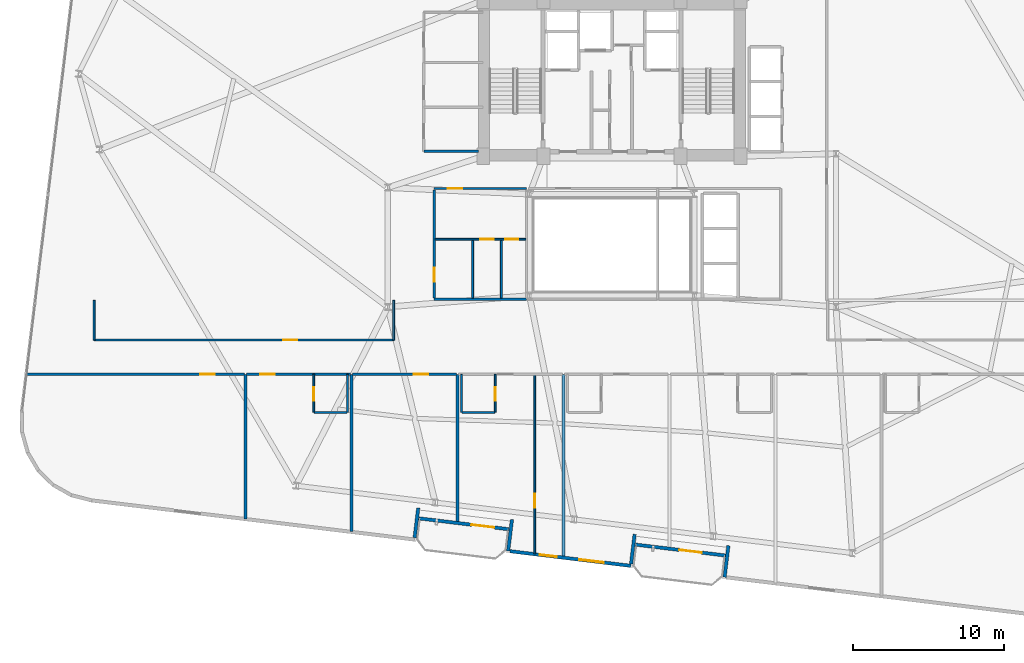
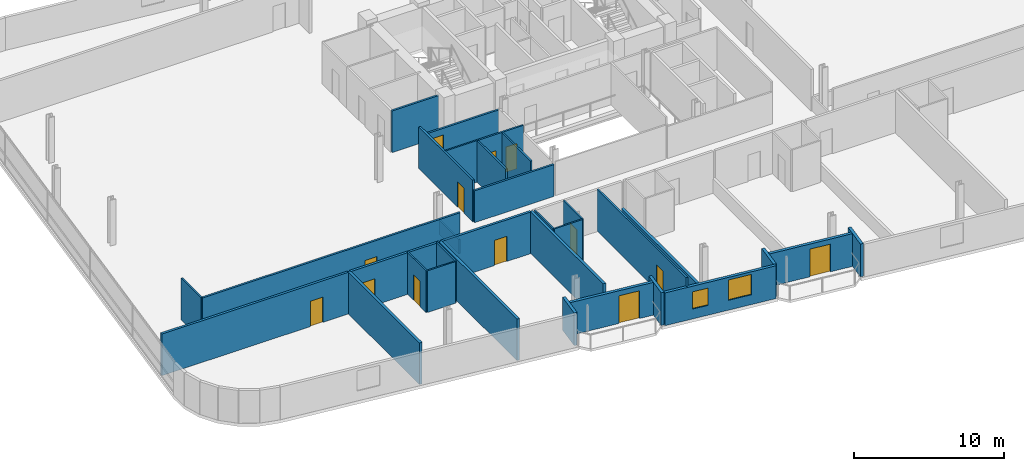
# One storey, part 20 of 26: 31 walls, 13 doors, 2 windows, 15 openings.
"""IFC4 building model written with IfcOpenShell, lengths in metres."""

from ifc_helpers import new_model, si_unit, direction, frame, frame_2d, origin, place, context, subcontext, project, spatial, rectangle, extrude, material, layer, layer_set, type_object, element, fill, save


model = new_model("IFC4")

# Units and contexts
model_context = context("Model", 3, precision=1e-05, world=origin(), true_north=direction((0.0, 1.0)))
body_context = subcontext(model_context, "Body", "Model", "MODEL_VIEW")
ifc_project = project(units=[si_unit("LENGTHUNIT", "METRE"), si_unit("AREAUNIT", "SQUARE_METRE"), si_unit("VOLUMEUNIT", "CUBIC_METRE"), si_unit("PLANEANGLEUNIT", "RADIAN"), si_unit("MASSUNIT", "GRAM", prefix="KILO")], contexts=[model_context])

# Site, building, storey
site_placement = place(None, origin())
site = spatial("IfcSite", under=ifc_project, at=site_placement, CompositionType="ELEMENT")
building_placement = place(site_placement, origin())
building = spatial("IfcBuilding", under=site, at=building_placement, Name="Varnelok Gate Tower", CompositionType="ELEMENT")
storey_placement = place(building_placement, frame((0.0, 0.0, 158.699951171875)))
storey = spatial("IfcBuildingStorey", under=building, at=storey_placement, Name="L40", CompositionType="ELEMENT", Elevation=158.699951171875)

# Wall, opening, door
ifc_material_1 = material(Name="Concrete C45/55", Category="concrete")
ifc_layer_1 = layer(ifc_material_1, 0.219970703125)
ifc_layer_set_1 = layer_set([ifc_layer_1], Name="Concrete C45/55")
wall_type_1 = type_object("IfcWallType", Name="EW-BALC-220", PredefinedType="SOLIDWALL", material=ifc_layer_set_1)
wall_1_placement = place(storey_placement, frame((32.40087890625, 4.1142578125, 0.0), z_axis=(0.0, 0.0, 1.0), x_axis=(-0.992734813078, 0.120322861101, 0.0)))
wall_1 = element("IfcWall", 1, at=wall_1_placement, inside=storey, type_object=wall_type_1, Name="L40 South Terrace Envelope Wall 1", PredefinedType="SOLIDWALL", context=body_context, shape_type="SweptSolid", body=[
    extrude(rectangle(XDim=6.0, YDim=0.219970703125, at=frame_2d((3.0, 0.0))), origin(), (0.0, 0.0, 1.0), 2.66015625),
])
opening_1_placement = place(wall_1_placement, frame((0.991943359375, 0.0, 0.0)))
opening_1 = element("IfcOpeningElement", 2, at=opening_1_placement, cuts=wall_1, Name="Opening BD-1", PredefinedType="OPENING", context=body_context, shape_type="SweptSolid", body=[
    extrude(rectangle(XDim=1.5, YDim=2.25, at=frame_2d((0.75, 1.125))), frame((0.0, 0.119873046875, 0.0), z_axis=(0.0, -1.0, 0.0), x_axis=(1.0, 0.0, 0.0)), (0.0, 0.0, 1.0), 0.239990234375),
])
ifc_material_2 = material(Name="Anodized Aluminum Alloy 6063-T6", Category="aluminium")
door_type_1 = type_object("IfcDoorType", Name="DR-EXT-BALC1500", OperationType="NOTDEFINED", PredefinedType="DOOR", material=ifc_material_2)
door_1_placement = place(opening_1_placement, origin())
door_1 = element("IfcDoor", 3, at=door_1_placement, inside=storey, type_object=door_type_1, Name="L40 South Balcony Glazed Door 1", OperationType="SINGLE_SWING_RIGHT", OverallHeight=2.25, OverallWidth=1.5, PredefinedType="DOOR", context=body_context, shape_type="SweptSolid", body=[
    extrude(rectangle(XDim=1.5, YDim=2.25, at=frame_2d((0.75, 1.125))), frame((0.0, 0.02490234375, 0.0), z_axis=(0.0, -1.0, 0.0), x_axis=(1.0, 0.0, 0.0)), (0.0, 0.0, 1.0), 0.050048828125),
])
fill(opening_1, door_1)

wall_2_placement = place(storey_placement, frame((46.6962890625, 2.38134765625, 0.0), z_axis=(0.0, 0.0, 1.0), x_axis=(-0.992729951822, 0.120362962556, 0.0)))
wall_2 = element("IfcWall", 4, at=wall_2_placement, inside=storey, type_object=wall_type_1, Name="L40 South Terrace Envelope Wall 2", PredefinedType="SOLIDWALL", context=body_context, shape_type="SweptSolid", body=[
    extrude(rectangle(XDim=6.0, YDim=0.219970703125, at=frame_2d((3.0, 0.0))), origin(), (0.0, 0.0, 1.0), 2.66015625),
])
opening_2_placement = place(wall_2_placement, frame((1.583984375, 0.0, 0.0)))
opening_2 = element("IfcOpeningElement", 5, at=opening_2_placement, cuts=wall_2, Name="Opening BD-1", PredefinedType="OPENING", context=body_context, shape_type="SweptSolid", body=[
    extrude(rectangle(XDim=1.5, YDim=2.25, at=frame_2d((0.75, 1.125))), frame((0.0, 0.119873046875, 0.0), z_axis=(0.0, -1.0, 0.0), x_axis=(1.0, 0.0, 0.0)), (0.0, 0.0, 1.0), 0.239990234375),
])
door_2_placement = place(opening_2_placement, origin())
door_2 = element("IfcDoor", 6, at=door_2_placement, inside=storey, type_object=door_type_1, Name="L40 South Balcony Glazed Door 2", OperationType="SINGLE_SWING_LEFT", OverallHeight=2.25, OverallWidth=1.5, PredefinedType="DOOR", context=body_context, shape_type="SweptSolid", body=[
    extrude(rectangle(XDim=1.5, YDim=2.25, at=frame_2d((0.75, 1.125))), frame((0.0, 0.02490234375, 0.0), z_axis=(0.0, -1.0, 0.0), x_axis=(1.0, 0.0, 0.0)), (0.0, 0.0, 1.0), 0.050048828125),
])
fill(opening_2, door_2)

# Walls
wall_3_placement = place(storey_placement, frame((26.16845703125, 3.555419921875, 0.0), z_axis=(0.0, 0.0, 1.0), x_axis=(0.120290754542, 0.992738703976, 0.0)))
element("IfcWall", 7, at=wall_3_placement, inside=storey, type_object=wall_type_1, Name="L40 Perimeter Facade Closure Wall 8", PredefinedType="SOLIDWALL", context=body_context, shape_type="SweptSolid", body=[
    extrude(rectangle(XDim=1.974853515625, YDim=0.219970703125, at=frame_2d((0.9873046875, 0.0))), origin(), (0.0, 0.0, 1.0), 2.66015625),
])
wall_4_placement = place(storey_placement, frame((32.600830078125, 4.764892578125, 0.0), z_axis=(0.0, 0.0, 1.0), x_axis=(-0.120327895535, -0.992734202874, 0.0)))
element("IfcWall", 8, at=wall_4_placement, inside=storey, type_object=wall_type_1, Name="L40 Perimeter Facade Closure Wall 9", PredefinedType="SOLIDWALL", context=body_context, shape_type="SweptSolid", body=[
    extrude(rectangle(XDim=2.099853515625, YDim=0.219970703125, at=frame_2d((1.0498046875, 0.0))), origin(), (0.0, 0.0, 1.0), 2.66015625),
])

# Wall, openings, windows
wall_5_placement = place(storey_placement, frame((32.47216796875, 2.6650390625, 0.0), z_axis=(0.0, 0.0, 1.0), x_axis=(0.992734661931, -0.120324108143, 0.0)))
wall_5 = element("IfcWall", 9, at=wall_5_placement, inside=storey, type_object=wall_type_1, Name="L40 Perimeter Facade Closure Wall 10", PredefinedType="SOLIDWALL", context=body_context, shape_type="SweptSolid", body=[
    extrude(rectangle(XDim=8.034912109375, YDim=0.219970703125, at=frame_2d((4.017578125, 0.0))), origin(), (0.0, 0.0, 1.0), 2.66015625),
])
opening_3_placement = place(wall_5_placement, frame((4.59716796875, 0.0, 0.800048828125)))
opening_3 = element("IfcOpeningElement", 10, at=opening_3_placement, cuts=wall_5, Name="Opening WN3", PredefinedType="OPENING", context=body_context, shape_type="SweptSolid", body=[
    extrude(rectangle(XDim=1.64990234375, YDim=1.64990234375, at=frame_2d((0.824951171875, 0.824951171875))), frame((0.0, 0.119873046875, 0.0), z_axis=(0.0, -1.0, 0.0), x_axis=(1.0, 0.0, 0.0)), (0.0, 0.0, 1.0), 0.239990234375),
])
opening_4_placement = place(wall_5_placement, frame((1.968505859375, 0.0, 0.800048828125)))
opening_4 = element("IfcOpeningElement", 11, at=opening_4_placement, cuts=wall_5, Name="Opening WN8", PredefinedType="OPENING", context=body_context, shape_type="SweptSolid", body=[
    extrude(rectangle(XDim=1.14990234375, YDim=1.39990234375, at=frame_2d((0.574951171875, 0.699951171875))), frame((0.0, 0.119873046875, 0.0), z_axis=(0.0, -1.0, 0.0), x_axis=(1.0, 0.0, 0.0)), (0.0, 0.0, 1.0), 0.239990234375),
])
ifc_material_3 = material(Name="Low-E Laminated Double Glazing IGU", Category="glass")
window_type_1 = type_object("IfcWindowType", Name="WN-BED-1150", PartitioningType="SINGLE_PANEL", PredefinedType="WINDOW", material=ifc_material_3)
window_1_placement = place(opening_4_placement, origin())
window_1 = element("IfcWindow", 12, at=window_1_placement, inside=storey, type_object=window_type_1, Name="L40 Bedroom Vision Window 18", OverallHeight=1.39990234375, OverallWidth=1.14990234375, PartitioningType="SINGLE_PANEL", PredefinedType="WINDOW", context=body_context, shape_type="SweptSolid", body=[
    extrude(rectangle(XDim=1.14990234375, YDim=1.39990234375, at=frame_2d((0.574951171875, 0.699951171875))), frame((0.0, 0.030029296875, 0.0), z_axis=(0.0, -1.0, 0.0), x_axis=(1.0, 0.0, 0.0)), (0.0, 0.0, 1.0), 0.06005859375),
])
fill(opening_4, window_1)
window_type_2 = type_object("IfcWindowType", Name="WN-HTL-1650", PartitioningType="SINGLE_PANEL", PredefinedType="WINDOW", material=ifc_material_3)
window_2_placement = place(opening_3_placement, origin())
window_2 = element("IfcWindow", 13, at=window_2_placement, inside=storey, type_object=window_type_2, Name="L40 Perimeter Vision Window 10", OverallHeight=1.64990234375, OverallWidth=1.64990234375, PartitioningType="SINGLE_PANEL", PredefinedType="WINDOW", context=body_context, shape_type="SweptSolid", body=[
    extrude(rectangle(XDim=1.64990234375, YDim=1.64990234375, at=frame_2d((0.824951171875, 0.824951171875))), frame((0.0, 0.030029296875, 0.0), z_axis=(0.0, -1.0, 0.0), x_axis=(1.0, 0.0, 0.0)), (0.0, 0.0, 1.0), 0.06005859375),
])
fill(opening_3, window_2)

# Walls
wall_6_placement = place(storey_placement, frame((40.4638671875, 1.822265625, 0.0), z_axis=(0.0, 0.0, 1.0), x_axis=(0.120275992932, 0.992740492538, 0.0)))
element("IfcWall", 14, at=wall_6_placement, inside=storey, type_object=wall_type_1, Name="L40 Perimeter Facade Closure Wall 11", PredefinedType="SOLIDWALL", context=body_context, shape_type="SweptSolid", body=[
    extrude(rectangle(XDim=1.97509765625, YDim=0.219970703125, at=frame_2d((0.987548828125, 0.0))), origin(), (0.0, 0.0, 1.0), 2.66015625),
])
wall_7_placement = place(storey_placement, frame((46.89599609375, 3.031982421875, 0.0), z_axis=(0.0, 0.0, 1.0), x_axis=(-0.120327895535, -0.992734202874, 0.0)))
element("IfcWall", 15, at=wall_7_placement, inside=storey, type_object=wall_type_1, Name="L40 Perimeter Facade Closure Wall 12", PredefinedType="SOLIDWALL", context=body_context, shape_type="SweptSolid", body=[
    extrude(rectangle(XDim=2.099853515625, YDim=0.219970703125, at=frame_2d((1.0498046875, 0.0))), origin(), (0.0, 0.0, 1.0), 2.66015625),
])

# Wall, opening, door
ifc_material_4 = material(Name="Gypsum Plasterboard Acoustic Partition", Category="gypsum")
ifc_layer_2 = layer(ifc_material_4, 0.179931640625)
ifc_layer_set_2 = layer_set([ifc_layer_2], Name="Gypsum Plasterboard Acoustic Partition")
wall_type_2 = type_object("IfcWallType", Name="PW-CORR-180", PredefinedType="PARTITIONING", material=ifc_layer_set_2)
wall_8_placement = place(storey_placement, frame((0.581298828125, 14.35009765625, 0.0), z_axis=(0.0, 0.0, 1.0), x_axis=(1.0, 0.0, 0.0)))
wall_8 = element("IfcWall", 16, at=wall_8_placement, inside=storey, type_object=wall_type_2, Name="Interior Partition", PredefinedType="PARTITIONING", context=body_context, shape_type="SweptSolid", body=[
    extrude(rectangle(XDim=14.338623046875, YDim=0.179931640625, at=frame_2d((7.16943359375, 0.0))), origin(), (0.0, 0.0, 1.0), 3.380126953125),
])
opening_5_placement = place(wall_8_placement, frame((11.42626953125, 0.0, 0.0)))
opening_5 = element("IfcOpeningElement", 17, at=opening_5_placement, cuts=wall_8, Name="Opening D-I2", PredefinedType="OPENING", context=body_context, shape_type="SweptSolid", body=[
    extrude(rectangle(XDim=0.949951171875, YDim=2.050048828125, at=frame_2d((0.47509765625, 1.02490234375))), frame((0.0, 0.099853515625, 0.0), z_axis=(0.0, -1.0, 0.0), x_axis=(1.0, 0.0, 0.0)), (0.0, 0.0, 1.0), 0.199951171875),
])
ifc_material_5 = material(Name="Engineered Hardwood Timber", Category="wood")
door_type_2 = type_object("IfcDoorType", Name="DR-INT-950", OperationType="NOTDEFINED", PredefinedType="DOOR", material=ifc_material_5)
door_3_placement = place(opening_5_placement, origin())
door_3 = element("IfcDoor", 18, at=door_3_placement, inside=storey, type_object=door_type_2, Name="L40 Wellness Spa Lounge Door", OperationType="SINGLE_SWING_LEFT", OverallHeight=2.050048828125, OverallWidth=0.949951171875, PredefinedType="DOOR", context=body_context, shape_type="SweptSolid", body=[
    extrude(rectangle(XDim=0.949951171875, YDim=2.050048828125, at=frame_2d((0.47509765625, 1.02490234375))), frame((0.0, 0.02490234375, 0.0), z_axis=(0.0, -1.0, 0.0), x_axis=(1.0, 0.0, 0.0)), (0.0, 0.0, 1.0), 0.050048828125),
])
fill(opening_5, door_3)

wall_9_placement = place(storey_placement, frame((15.080078125, 14.35009765625, 0.0), z_axis=(0.0, 0.0, 1.0), x_axis=(1.0, 0.0, 0.0)))
wall_9 = element("IfcWall", 19, at=wall_9_placement, inside=storey, type_object=wall_type_2, Name="Interior Partition", PredefinedType="PARTITIONING", context=body_context, shape_type="SweptSolid", body=[
    extrude(rectangle(XDim=6.83984375, YDim=0.179931640625, at=frame_2d((3.419921875, 0.0))), origin(), (0.0, 0.0, 1.0), 3.380126953125),
])
opening_6_placement = place(wall_9_placement, frame((0.89990234375, 0.0, 0.0)))
opening_6 = element("IfcOpeningElement", 20, at=opening_6_placement, cuts=wall_9, Name="Opening D-HT", PredefinedType="OPENING", context=body_context, shape_type="SweptSolid", body=[
    extrude(rectangle(XDim=0.949951171875, YDim=2.14990234375, at=frame_2d((0.47509765625, 1.074951171875))), frame((0.0, 0.099853515625, 0.0), z_axis=(0.0, -1.0, 0.0), x_axis=(1.0, 0.0, 0.0)), (0.0, 0.0, 1.0), 0.199951171875),
])
door_type_3 = type_object("IfcDoorType", Name="DR-HTL-950", OperationType="NOTDEFINED", PredefinedType="DOOR", material=ifc_material_5)
door_4_placement = place(opening_6_placement, origin())
door_4 = element("IfcDoor", 21, at=door_4_placement, inside=storey, type_object=door_type_3, Name="L40 Guest Room 02 Entrance Door", OperationType="SINGLE_SWING_LEFT", OverallHeight=2.14990234375, OverallWidth=0.949951171875, PredefinedType="DOOR", context=body_context, shape_type="SweptSolid", body=[
    extrude(rectangle(XDim=0.949951171875, YDim=2.14990234375, at=frame_2d((0.47509765625, 1.074951171875))), frame((0.0, 0.02490234375, 0.0), z_axis=(0.0, -1.0, 0.0), x_axis=(1.0, 0.0, 0.0)), (0.0, 0.0, 1.0), 0.050048828125),
])
fill(opening_6, door_4)

wall_10_placement = place(storey_placement, frame((22.080078125, 14.35009765625, 0.0), z_axis=(0.0, 0.0, 1.0), x_axis=(1.0, 0.0, 0.0)))
wall_10 = element("IfcWall", 22, at=wall_10_placement, inside=storey, type_object=wall_type_2, Name="Interior Partition", PredefinedType="PARTITIONING", context=body_context, shape_type="SweptSolid", body=[
    extrude(rectangle(XDim=6.83984375, YDim=0.179931640625, at=frame_2d((3.419921875, 0.0))), origin(), (0.0, 0.0, 1.0), 3.380126953125),
])
opening_7_placement = place(wall_10_placement, frame((4.034912109375, 0.0, 0.0)))
opening_7 = element("IfcOpeningElement", 23, at=opening_7_placement, cuts=wall_10, Name="Opening D-I2", PredefinedType="OPENING", context=body_context, shape_type="SweptSolid", body=[
    extrude(rectangle(XDim=0.949951171875, YDim=2.050048828125, at=frame_2d((0.47509765625, 1.02490234375))), frame((0.0, 0.099853515625, 0.0), z_axis=(0.0, -1.0, 0.0), x_axis=(1.0, 0.0, 0.0)), (0.0, 0.0, 1.0), 0.199951171875),
])
door_5_placement = place(opening_7_placement, origin())
door_5 = element("IfcDoor", 24, at=door_5_placement, inside=storey, type_object=door_type_2, Name="L40 Wellness Spa Lounge Door", OperationType="SINGLE_SWING_LEFT", OverallHeight=2.050048828125, OverallWidth=0.949951171875, PredefinedType="DOOR", context=body_context, shape_type="SweptSolid", body=[
    extrude(rectangle(XDim=0.949951171875, YDim=2.050048828125, at=frame_2d((0.47509765625, 1.02490234375))), frame((0.0, 0.02490234375, 0.0), z_axis=(0.0, -1.0, 0.0), x_axis=(1.0, 0.0, 0.0)), (0.0, 0.0, 1.0), 0.050048828125),
])
fill(opening_7, door_5)

# Wall
ifc_layer_3 = layer(ifc_material_4, 0.114990234375)
ifc_layer_set_3 = layer_set([ifc_layer_3], Name="Gypsum Plasterboard Acoustic Partition")
wall_type_3 = type_object("IfcWallType", Name="PW-ENS-125", PredefinedType="PARTITIONING", material=ifc_layer_set_3)
wall_11_placement = place(storey_placement, frame((19.550048828125, 11.830078125, 0.0), z_axis=(0.0, 0.0, 1.0), x_axis=(1.0, 0.0, 0.0)))
element("IfcWall", 25, at=wall_11_placement, inside=storey, type_object=wall_type_3, Name="Interior Partition", PredefinedType="PARTITIONING", context=body_context, shape_type="SweptSolid", body=[
    extrude(rectangle(XDim=2.14990234375, YDim=0.114990234375, at=frame_2d((1.074951171875, 0.0))), origin(), (0.0, 0.0, 1.0), 3.380126953125),
])

# Wall, opening, door
wall_12_placement = place(storey_placement, frame((19.510009765625, 11.830078125, 0.0), z_axis=(0.0, 0.0, 1.0), x_axis=(0.0, 1.0, 0.0)))
wall_12 = element("IfcWall", 26, at=wall_12_placement, inside=storey, type_object=wall_type_3, Name="Interior Partition", PredefinedType="PARTITIONING", context=body_context, shape_type="SweptSolid", body=[
    extrude(rectangle(XDim=2.52001953125, YDim=0.114990234375, at=frame_2d((1.260009765625, 0.0))), origin(), (0.0, 0.0, 1.0), 3.380126953125),
])
opening_8_placement = place(wall_12_placement, frame((0.760009765625, 0.0, 0.0)))
opening_8 = element("IfcOpeningElement", 27, at=opening_8_placement, cuts=wall_12, Name="Opening D-WC", PredefinedType="OPENING", context=body_context, shape_type="SweptSolid", body=[
    extrude(rectangle(XDim=0.89990234375, YDim=2.050048828125, at=frame_2d((0.449951171875, 1.02490234375))), frame((0.0, 0.0673828125, 0.0), z_axis=(0.0, -1.0, 0.0), x_axis=(1.0, 0.0, 0.0)), (0.0, 0.0, 1.0), 0.135009765625),
])
door_type_4 = type_object("IfcDoorType", Name="DR-BATH-900", OperationType="NOTDEFINED", PredefinedType="DOOR", material=ifc_material_5)
door_6_placement = place(opening_8_placement, origin())
door_6 = element("IfcDoor", 28, at=door_6_placement, inside=storey, type_object=door_type_4, Name="L40 Guest En-Suite 02 Door", OperationType="SINGLE_SWING_RIGHT", OverallHeight=2.050048828125, OverallWidth=0.89990234375, PredefinedType="DOOR", context=body_context, shape_type="SweptSolid", body=[
    extrude(rectangle(XDim=0.89990234375, YDim=2.050048828125, at=frame_2d((0.449951171875, 1.02490234375))), frame((0.0, 0.02490234375, 0.0), z_axis=(0.0, -1.0, 0.0), x_axis=(1.0, 0.0, 0.0)), (0.0, 0.0, 1.0), 0.050048828125),
])
fill(opening_8, door_6)

# Walls
wall_13_placement = place(storey_placement, frame((21.739990234375, 11.830078125, 0.0), z_axis=(0.0, 0.0, 1.0), x_axis=(0.0, 1.0, 0.0)))
element("IfcWall", 29, at=wall_13_placement, inside=storey, type_object=wall_type_3, Name="Interior Partition", PredefinedType="PARTITIONING", context=body_context, shape_type="SweptSolid", body=[
    extrude(rectangle(XDim=2.52001953125, YDim=0.114990234375, at=frame_2d((1.260009765625, 0.0))), origin(), (0.0, 0.0, 1.0), 3.380126953125),
])
wall_14_placement = place(storey_placement, frame((29.300048828125, 11.830078125, 0.0), z_axis=(0.0, 0.0, 1.0), x_axis=(1.0, 0.0, 0.0)))
element("IfcWall", 30, at=wall_14_placement, inside=storey, type_object=wall_type_3, Name="Interior Partition", PredefinedType="PARTITIONING", context=body_context, shape_type="SweptSolid", body=[
    extrude(rectangle(XDim=2.14990234375, YDim=0.114990234375, at=frame_2d((1.074951171875, 0.0))), origin(), (0.0, 0.0, 1.0), 3.380126953125),
])

# Wall, opening, door
wall_15_placement = place(storey_placement, frame((31.489990234375, 11.830078125, 0.0), z_axis=(0.0, 0.0, 1.0), x_axis=(0.0, 1.0, 0.0)))
wall_15 = element("IfcWall", 31, at=wall_15_placement, inside=storey, type_object=wall_type_3, Name="Interior Partition", PredefinedType="PARTITIONING", context=body_context, shape_type="SweptSolid", body=[
    extrude(rectangle(XDim=2.52001953125, YDim=0.114990234375, at=frame_2d((1.260009765625, 0.0))), origin(), (0.0, 0.0, 1.0), 3.380126953125),
])
opening_9_placement = place(wall_15_placement, frame((0.760009765625, 0.0, 0.0)))
opening_9 = element("IfcOpeningElement", 32, at=opening_9_placement, cuts=wall_15, Name="Opening D-WC", PredefinedType="OPENING", context=body_context, shape_type="SweptSolid", body=[
    extrude(rectangle(XDim=0.89990234375, YDim=2.050048828125, at=frame_2d((0.449951171875, 1.02490234375))), frame((0.0, 0.0673828125, 0.0), z_axis=(0.0, -1.0, 0.0), x_axis=(1.0, 0.0, 0.0)), (0.0, 0.0, 1.0), 0.135009765625),
])
door_7_placement = place(opening_9_placement, origin())
door_7 = element("IfcDoor", 33, at=door_7_placement, inside=storey, type_object=door_type_4, Name="L40 Guest En-Suite 04 Door", OperationType="SINGLE_SWING_LEFT", OverallHeight=2.050048828125, OverallWidth=0.89990234375, PredefinedType="DOOR", context=body_context, shape_type="SweptSolid", body=[
    extrude(rectangle(XDim=0.89990234375, YDim=2.050048828125, at=frame_2d((0.449951171875, 1.02490234375))), frame((0.0, 0.02490234375, 0.0), z_axis=(0.0, -1.0, 0.0), x_axis=(1.0, 0.0, 0.0)), (0.0, 0.0, 1.0), 0.050048828125),
])
fill(opening_9, door_7)

# Walls
wall_16_placement = place(storey_placement, frame((29.260009765625, 11.830078125, 0.0), z_axis=(0.0, 0.0, 1.0), x_axis=(0.0, 1.0, 0.0)))
element("IfcWall", 34, at=wall_16_placement, inside=storey, type_object=wall_type_3, Name="Interior Partition", PredefinedType="PARTITIONING", context=body_context, shape_type="SweptSolid", body=[
    extrude(rectangle(XDim=2.52001953125, YDim=0.114990234375, at=frame_2d((1.260009765625, 0.0))), origin(), (0.0, 0.0, 1.0), 3.380126953125),
])
ifc_layer_4 = layer(ifc_material_4, 0.125)
ifc_layer_set_4 = layer_set([ifc_layer_4], Name="Gypsum Plasterboard Acoustic Partition")
wall_type_4 = type_object("IfcWallType", Name="PW-PART-125", PredefinedType="PARTITIONING", material=ifc_layer_set_4)
wall_17_placement = place(storey_placement, frame((5.0, 16.610107421875, 0.0), z_axis=(0.0, 0.0, 1.0), x_axis=(0.0, 1.0, 0.0)))
element("IfcWall", 35, at=wall_17_placement, inside=storey, type_object=wall_type_4, Name="Interior Partition", PredefinedType="PARTITIONING", context=body_context, shape_type="SweptSolid", body=[
    extrude(rectangle(XDim=2.6298828125, YDim=0.125, at=frame_2d((1.31494140625, 0.0))), origin(), (0.0, 0.0, 1.0), 3.380126953125),
])
wall_18_placement = place(storey_placement, frame((24.800048828125, 16.610107421875, 0.0), z_axis=(0.0, 0.0, 1.0), x_axis=(0.0, 1.0, 0.0)))
element("IfcWall", 36, at=wall_18_placement, inside=storey, type_object=wall_type_4, Name="Interior Partition", PredefinedType="PARTITIONING", context=body_context, shape_type="SweptSolid", body=[
    extrude(rectangle(XDim=2.6298828125, YDim=0.125, at=frame_2d((1.31494140625, 0.0))), origin(), (0.0, 0.0, 1.0), 1.1650390625),
])

# Wall, opening, door
wall_19_placement = place(storey_placement, frame((34.10009765625, 2.488037109375, 0.0), z_axis=(0.0, 0.0, 1.0), x_axis=(0.0, 1.0, 0.0)))
wall_19 = element("IfcWall", 37, at=wall_19_placement, inside=storey, type_object=wall_type_4, Name="Interior Partition", PredefinedType="PARTITIONING", context=body_context, shape_type="SweptSolid", body=[
    extrude(rectangle(XDim=11.862060546875, YDim=0.125, at=frame_2d((5.93115234375, 0.0))), origin(), (0.0, 0.0, 1.0), 3.380126953125),
])
opening_10_placement = place(wall_19_placement, frame((3.0498046875, 0.0, 0.0)))
opening_10 = element("IfcOpeningElement", 38, at=opening_10_placement, cuts=wall_19, Name="Opening D-I3", PredefinedType="OPENING", context=body_context, shape_type="SweptSolid", body=[
    extrude(rectangle(XDim=0.919921875, YDim=2.050048828125, at=frame_2d((0.4599609375, 1.02490234375))), frame((0.0, 0.072509765625, 0.0), z_axis=(0.0, -1.0, 0.0), x_axis=(1.0, 0.0, 0.0)), (0.0, 0.0, 1.0), 0.14501953125),
])
door_type_5 = type_object("IfcDoorType", Name="DR-INT-920", OperationType="NOTDEFINED", PredefinedType="DOOR", material=ifc_material_5)
door_8_placement = place(opening_10_placement, origin())
door_8 = element("IfcDoor", 39, at=door_8_placement, inside=storey, type_object=door_type_5, Name="L40 Suite Bedroom Door 4", OperationType="SINGLE_SWING_LEFT", OverallHeight=2.050048828125, OverallWidth=0.919921875, PredefinedType="DOOR", context=body_context, shape_type="SweptSolid", body=[
    extrude(rectangle(XDim=0.919921875, YDim=2.050048828125, at=frame_2d((0.4599609375, 1.02490234375))), frame((0.0, 0.02490234375, 0.0), z_axis=(0.0, -1.0, 0.0), x_axis=(1.0, 0.0, 0.0)), (0.0, 0.0, 1.0), 0.050048828125),
])
fill(opening_10, door_8)

# Wall, openings, doors
wall_20_placement = place(storey_placement, frame((27.52001953125, 23.27001953125, 0.0), z_axis=(0.0, 0.0, 1.0), x_axis=(1.0, 0.0, 0.0)))
wall_20 = element("IfcWall", 40, at=wall_20_placement, inside=storey, type_object=wall_type_4, Name="Interior Partition", PredefinedType="PARTITIONING", context=body_context, shape_type="SweptSolid", body=[
    extrude(rectangle(XDim=6.0, YDim=0.125, at=frame_2d((3.0, 0.0))), origin(), (0.0, 0.0, 1.0), 3.380126953125),
])
opening_11_placement = place(wall_20_placement, frame((2.981689453125, 0.0, 0.0)))
opening_11 = element("IfcOpeningElement", 41, at=opening_11_placement, cuts=wall_20, Name="Opening D-I4", PredefinedType="OPENING", context=body_context, shape_type="SweptSolid", body=[
    extrude(rectangle(XDim=0.89990234375, YDim=2.050048828125, at=frame_2d((0.449951171875, 1.02490234375))), frame((0.0, 0.072509765625, 0.0), z_axis=(0.0, -1.0, 0.0), x_axis=(1.0, 0.0, 0.0)), (0.0, 0.0, 1.0), 0.14501953125),
])
opening_12_placement = place(wall_20_placement, frame((4.64990234375, 0.0, 0.0)))
opening_12 = element("IfcOpeningElement", 42, at=opening_12_placement, cuts=wall_20, Name="Opening D-RS", PredefinedType="OPENING", context=body_context, shape_type="SweptSolid", body=[
    extrude(rectangle(XDim=0.85009765625, YDim=2.050048828125, at=frame_2d((0.425048828125, 1.02490234375))), frame((0.0, 0.072509765625, 0.0), z_axis=(0.0, -1.0, 0.0), x_axis=(1.0, 0.0, 0.0)), (0.0, 0.0, 1.0), 0.14501953125),
])
door_type_6 = type_object("IfcDoorType", Name="DR-INT-900", OperationType="NOTDEFINED", PredefinedType="DOOR", material=ifc_material_5)
door_9_placement = place(opening_11_placement, origin())
door_9 = element("IfcDoor", 43, at=door_9_placement, inside=storey, type_object=door_type_6, Name="L40 Trolley Room Door", OperationType="SINGLE_SWING_LEFT", OverallHeight=2.050048828125, OverallWidth=0.89990234375, PredefinedType="DOOR", context=body_context, shape_type="SweptSolid", body=[
    extrude(rectangle(XDim=0.89990234375, YDim=2.050048828125, at=frame_2d((0.449951171875, 1.02490234375))), frame((0.0, 0.02490234375, 0.0), z_axis=(0.0, -1.0, 0.0), x_axis=(1.0, 0.0, 0.0)), (0.0, 0.0, 1.0), 0.050048828125),
])
fill(opening_11, door_9)
ifc_material_6 = material(Name="Galvanized Steel Grade S350GD", Category="steel")
door_type_7 = type_object("IfcDoorType", Name="DR-RISER-850", OperationType="NOTDEFINED", PredefinedType="DOOR", material=ifc_material_6)
door_10_placement = place(opening_12_placement, origin())
door_10 = element("IfcDoor", 44, at=door_10_placement, inside=storey, type_object=door_type_7, Name="L40 Janitor Sink Door", OperationType="SINGLE_SWING_RIGHT", OverallHeight=2.050048828125, OverallWidth=0.85009765625, PredefinedType="DOOR", context=body_context, shape_type="SweptSolid", body=[
    extrude(rectangle(XDim=0.85009765625, YDim=2.050048828125, at=frame_2d((0.425048828125, 1.02490234375))), frame((0.0, 0.02490234375, 0.0), z_axis=(0.0, -1.0, 0.0), x_axis=(1.0, 0.0, 0.0)), (0.0, 0.0, 1.0), 0.050048828125),
])
fill(opening_12, door_10)

# Walls
for number, where, z_axis, x_axis, name in (
    (45, (30.0, 19.3798828125, 0.0), (0.0, 0.0, 1.0), (0.0, 1.0, 0.0), "Interior Partition"),
    (46, (31.89990234375, 19.3798828125, 0.0), (0.0, 0.0, 1.0), (0.0, 1.0, 0.0), "Interior Partition"),
):
    element("IfcWall", number, at=place(storey_placement, frame(where, z_axis=z_axis, x_axis=x_axis)), inside=storey, type_object=wall_type_4, Name=name, PredefinedType="PARTITIONING", context=body_context, shape_type="SweptSolid", body=[
        extrude(rectangle(XDim=3.820068359375, YDim=0.125, at=frame_2d((1.91015625, 0.0))), origin(), (0.0, 0.0, 1.0), 3.380126953125),
    ])

# Wall, opening, door
ifc_layer_5 = layer(ifc_material_4, 0.14990234375)
ifc_layer_set_5 = layer_set([ifc_layer_5], Name="Gypsum Plasterboard Acoustic Partition")
wall_type_5 = type_object("IfcWallType", Name="PW-PART-150", PredefinedType="PARTITIONING", material=ifc_layer_set_5)
wall_21_placement = place(storey_placement, frame((5.0, 16.610107421875, 0.0), z_axis=(0.0, 0.0, 1.0), x_axis=(1.0, 0.0, 0.0)))
wall_21 = element("IfcWall", 47, at=wall_21_placement, inside=storey, type_object=wall_type_5, Name="Interior Partition", PredefinedType="PARTITIONING", context=body_context, shape_type="SweptSolid", body=[
    extrude(rectangle(XDim=19.800048828125, YDim=0.14990234375, at=frame_2d((9.89990234375, 0.0))), origin(), (0.0, 0.0, 1.0), 3.380126953125),
])
opening_13_placement = place(wall_21_placement, frame((12.485107421875, 0.0, 0.0)))
opening_13 = element("IfcOpeningElement", 48, at=opening_13_placement, cuts=wall_21, Name="Opening D-I3", PredefinedType="OPENING", context=body_context, shape_type="SweptSolid", body=[
    extrude(rectangle(XDim=0.919921875, YDim=2.050048828125, at=frame_2d((0.4599609375, 1.02490234375))), frame((0.0, 0.0849609375, 0.0), z_axis=(0.0, -1.0, 0.0), x_axis=(1.0, 0.0, 0.0)), (0.0, 0.0, 1.0), 0.169921875),
])
door_11_placement = place(opening_13_placement, origin())
door_11 = element("IfcDoor", 49, at=door_11_placement, inside=storey, type_object=door_type_5, Name="L40 Atrium Room 1 Door", OperationType="SINGLE_SWING_LEFT", OverallHeight=2.050048828125, OverallWidth=0.919921875, PredefinedType="DOOR", context=body_context, shape_type="SweptSolid", body=[
    extrude(rectangle(XDim=0.919921875, YDim=2.050048828125, at=frame_2d((0.4599609375, 1.02490234375))), frame((0.0, 0.02490234375, 0.0), z_axis=(0.0, -1.0, 0.0), x_axis=(1.0, 0.0, 0.0)), (0.0, 0.0, 1.0), 0.050048828125),
])
fill(opening_13, door_11)

wall_22_placement = place(storey_placement, frame((27.4599609375, 26.6201171875, 0.0), z_axis=(0.0, 0.0, 1.0), x_axis=(1.0, 0.0, 0.0)))
wall_22 = element("IfcWall", 50, at=wall_22_placement, inside=storey, type_object=wall_type_5, Name="Interior Partition", PredefinedType="PARTITIONING", context=body_context, shape_type="SweptSolid", body=[
    extrude(rectangle(XDim=6.10009765625, YDim=0.14990234375, at=frame_2d((3.050048828125, 0.0))), origin(), (0.0, 0.0, 1.0), 2.592041015625),
])
opening_14_placement = place(wall_22_placement, frame((0.8896484375, 0.0, 0.0)))
opening_14 = element("IfcOpeningElement", 51, at=opening_14_placement, cuts=wall_22, Name="Opening D-I2", PredefinedType="OPENING", context=body_context, shape_type="SweptSolid", body=[
    extrude(rectangle(XDim=0.949951171875, YDim=2.050048828125, at=frame_2d((0.47509765625, 1.02490234375))), frame((0.0, 0.0849609375, 0.0), z_axis=(0.0, -1.0, 0.0), x_axis=(1.0, 0.0, 0.0)), (0.0, 0.0, 1.0), 0.169921875),
])
door_12_placement = place(opening_14_placement, origin())
door_12 = element("IfcDoor", 52, at=door_12_placement, inside=storey, type_object=door_type_2, Name="L40 Spa Treatment Suite Door", OperationType="SINGLE_SWING_LEFT", OverallHeight=2.050048828125, OverallWidth=0.949951171875, PredefinedType="DOOR", context=body_context, shape_type="SweptSolid", body=[
    extrude(rectangle(XDim=0.949951171875, YDim=2.050048828125, at=frame_2d((0.47509765625, 1.02490234375))), frame((0.0, 0.02490234375, 0.0), z_axis=(0.0, -1.0, 0.0), x_axis=(1.0, 0.0, 0.0)), (0.0, 0.0, 1.0), 0.050048828125),
])
fill(opening_14, door_12)

# Wall
wall_23_placement = place(storey_placement, frame((27.4599609375, 19.300048828125, 0.0), z_axis=(0.0, 0.0, 1.0), x_axis=(1.0, 0.0, 0.0)))
element("IfcWall", 53, at=wall_23_placement, inside=storey, type_object=wall_type_5, Name="Interior Partition", PredefinedType="PARTITIONING", context=body_context, shape_type="SweptSolid", body=[
    extrude(rectangle(XDim=6.10009765625, YDim=0.14990234375, at=frame_2d((3.050048828125, 0.0))), origin(), (0.0, 0.0, 1.0), 2.592041015625),
])

# Wall, opening, door
wall_24_placement = place(storey_placement, frame((27.4599609375, 19.3798828125, 0.0), z_axis=(0.0, 0.0, 1.0), x_axis=(0.0, 1.0, 0.0)))
wall_24 = element("IfcWall", 54, at=wall_24_placement, inside=storey, type_object=wall_type_5, Name="Interior Partition", PredefinedType="PARTITIONING", context=body_context, shape_type="SweptSolid", body=[
    extrude(rectangle(XDim=7.16015625, YDim=0.14990234375, at=frame_2d((3.580078125, 0.0))), origin(), (0.0, 0.0, 1.0), 3.380126953125),
])
opening_15_placement = place(wall_24_placement, frame((1.10009765625, 0.0, 0.0)))
opening_15 = element("IfcOpeningElement", 55, at=opening_15_placement, cuts=wall_24, Name="Opening D-WC", PredefinedType="OPENING", context=body_context, shape_type="SweptSolid", body=[
    extrude(rectangle(XDim=0.89990234375, YDim=2.050048828125, at=frame_2d((0.449951171875, 1.02490234375))), frame((0.0, 0.0849609375, 0.0), z_axis=(0.0, -1.0, 0.0), x_axis=(1.0, 0.0, 0.0)), (0.0, 0.0, 1.0), 0.169921875),
])
door_13_placement = place(opening_15_placement, origin())
door_13 = element("IfcDoor", 56, at=door_13_placement, inside=storey, type_object=door_type_4, Name="L40 Accessible Floor WC Door", OperationType="SINGLE_SWING_RIGHT", OverallHeight=2.050048828125, OverallWidth=0.89990234375, PredefinedType="DOOR", context=body_context, shape_type="SweptSolid", body=[
    extrude(rectangle(XDim=0.89990234375, YDim=2.050048828125, at=frame_2d((0.449951171875, 1.02490234375))), frame((0.0, 0.02490234375, 0.0), z_axis=(0.0, -1.0, 0.0), x_axis=(1.0, 0.0, 0.0)), (0.0, 0.0, 1.0), 0.050048828125),
])
fill(opening_15, door_13)

# Walls
wall_25_placement = place(storey_placement, frame((26.780029296875, 29.080078125, 0.0), z_axis=(0.0, 0.0, 1.0), x_axis=(1.0, 0.0, 0.0)))
element("IfcWall", 57, at=wall_25_placement, inside=storey, type_object=wall_type_5, Name="Interior Partition", PredefinedType="PARTITIONING", context=body_context, shape_type="SweptSolid", body=[
    extrude(rectangle(XDim=3.599853515625, YDim=0.14990234375, at=frame_2d((1.7998046875, 0.0))), origin(), (0.0, 0.0, 1.0), 3.380126953125),
])
ifc_layer_6 = layer(ifc_material_4, 0.205078125)
ifc_layer_set_6 = layer_set([ifc_layer_6], Name="Gypsum Plasterboard Acoustic Partition")
wall_type_6 = type_object("IfcWallType", Name="PW-PARTY-200", PredefinedType="PARTITIONING", material=ifc_layer_set_6)
wall_26_placement = place(storey_placement, frame((15.0, 4.803466796875, 0.0), z_axis=(0.0, 0.0, 1.0), x_axis=(0.0, 1.0, 0.0)))
element("IfcWall", 58, at=wall_26_placement, inside=storey, type_object=wall_type_6, Name="L40 South Party Wall 1", PredefinedType="PARTITIONING", context=body_context, shape_type="SweptSolid", body=[
    extrude(rectangle(XDim=9.546630859375, YDim=0.205078125, at=frame_2d((4.7734375, 0.0))), origin(), (0.0, 0.0, 1.0), 3.380126953125),
])
wall_27_placement = place(storey_placement, frame((22.0, 3.954833984375, 0.0), z_axis=(0.0, 0.0, 1.0), x_axis=(0.0, 1.0, 0.0)))
element("IfcWall", 59, at=wall_27_placement, inside=storey, type_object=wall_type_6, Name="L40 South Party Wall 2", PredefinedType="PARTITIONING", context=body_context, shape_type="SweptSolid", body=[
    extrude(rectangle(XDim=10.395263671875, YDim=0.205078125, at=frame_2d((5.19775390625, 0.0))), origin(), (0.0, 0.0, 1.0), 3.380126953125),
])
wall_28_placement = place(storey_placement, frame((29.0, 4.631591796875, 0.0), z_axis=(0.0, 0.0, 1.0), x_axis=(0.0, 1.0, 0.0)))
element("IfcWall", 60, at=wall_28_placement, inside=storey, type_object=wall_type_6, Name="L40 South Party Wall 3", PredefinedType="PARTITIONING", context=body_context, shape_type="SweptSolid", body=[
    extrude(rectangle(XDim=9.718505859375, YDim=0.205078125, at=frame_2d((4.859375, 0.0))), origin(), (0.0, 0.0, 1.0), 3.380126953125),
])
wall_29_placement = place(storey_placement, frame((36.0, 2.257568359375, 0.0), z_axis=(0.0, 0.0, 1.0), x_axis=(0.0, 1.0, 0.0)))
element("IfcWall", 61, at=wall_29_placement, inside=storey, type_object=wall_type_6, Name="L40 South Party Wall 4", PredefinedType="PARTITIONING", context=body_context, shape_type="SweptSolid", body=[
    extrude(rectangle(XDim=12.092529296875, YDim=0.205078125, at=frame_2d((6.04638671875, 0.0))), origin(), (0.0, 0.0, 1.0), 1.1650390625),
])

save(model, "model.ifc")
